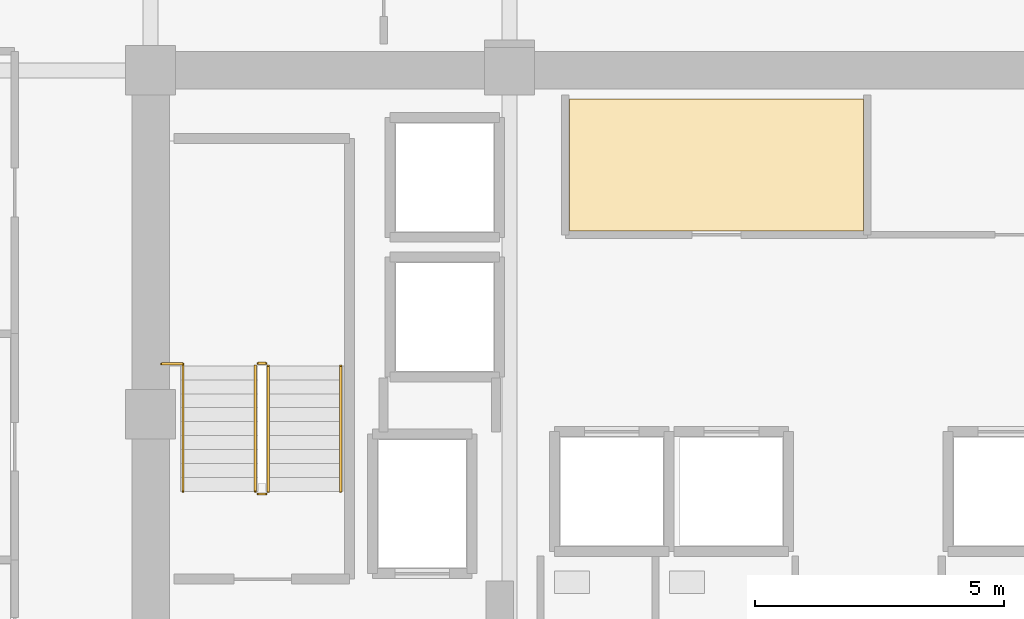
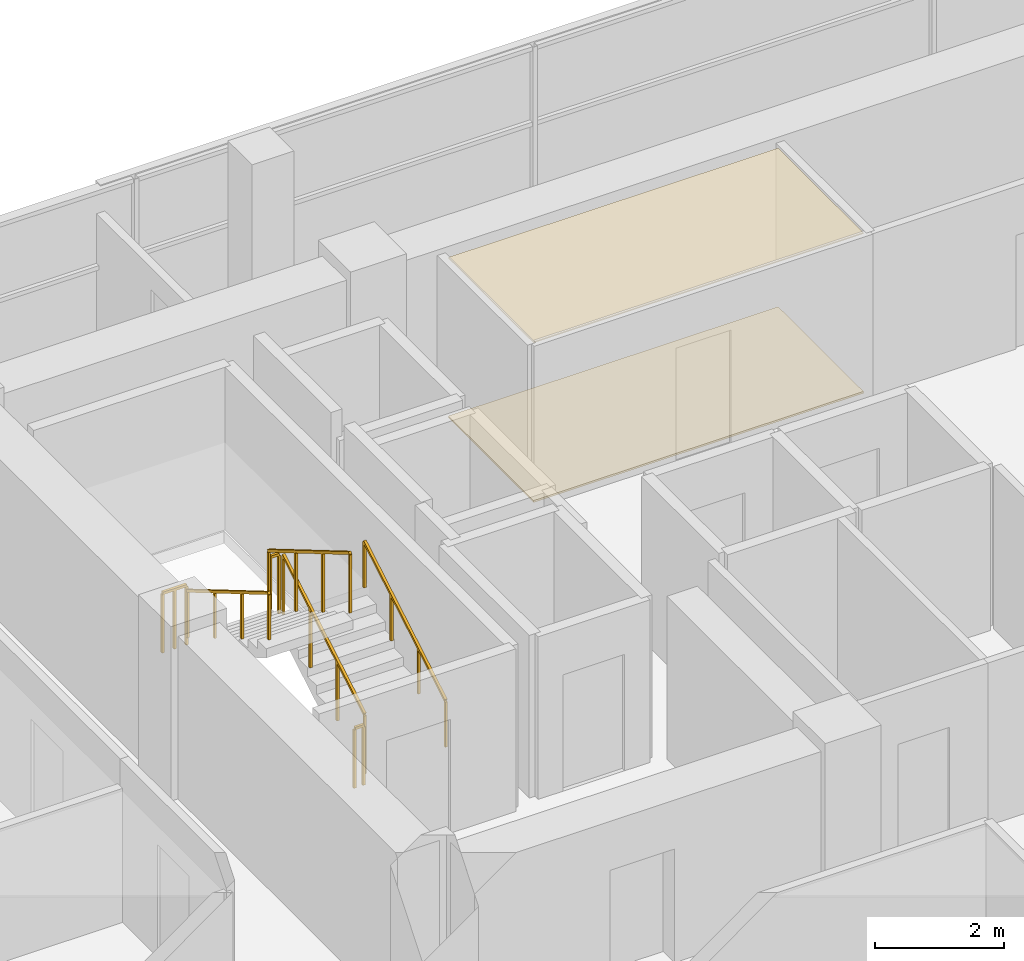
# One storey, part 23 of 25: 7 railings, 2 coverings.
"""IFC4 building model written with IfcOpenShell, lengths in metres."""

from ifc_helpers import new_model, si_unit, direction, frame, origin, origin_2d, place, context, subcontext, project, spatial, polyline, rectangle, outline, extrude, material, layer, layer_set, type_object, element, save


model = new_model("IFC4")

# Units and contexts
model_context = context("Model", 3, precision=1e-05, world=origin(), true_north=direction((0.0, 1.0)))
body_context = subcontext(model_context, "Body", "Model", "MODEL_VIEW")
ifc_project = project(units=[si_unit("LENGTHUNIT", "METRE"), si_unit("AREAUNIT", "SQUARE_METRE"), si_unit("VOLUMEUNIT", "CUBIC_METRE"), si_unit("PLANEANGLEUNIT", "RADIAN"), si_unit("MASSUNIT", "GRAM", prefix="KILO")], contexts=[model_context])

# Site, building, storey
site_placement = place(None, origin())
site = spatial("IfcSite", under=ifc_project, at=site_placement, CompositionType="ELEMENT")
building_placement = place(site_placement, origin())
building = spatial("IfcBuilding", under=site, at=building_placement, Name="Zarnakvel Exchange Tower", CompositionType="ELEMENT")
storey_placement = place(building_placement, frame((0.0, 0.0, 156.10009765625)))
storey = spatial("IfcBuildingStorey", under=building, at=storey_placement, Name="L43", CompositionType="ELEMENT", Elevation=156.10009765625)

# Coverings
ifc_material_1 = material(Name="Perforated Bronze Acoustic Metal Ceiling", Category="aluminium")
ifc_layer_1 = layer(ifc_material_1, 0.02001953125)
ifc_layer_set_1 = layer_set([ifc_layer_1], Name="Perforated Bronze Acoustic Metal Ceiling")
covering_type_1 = type_object("IfcCoveringType", Name="CLG-01", PredefinedType="CEILING", material=ifc_layer_set_1)
covering_1_placement = place(storey_placement, frame((0.0, 0.0, 3.014892578125)))
element("IfcCovering", 1, at=covering_1_placement, inside=storey, type_object=covering_type_1, Name="L43 Suspended Acoustic Ceiling (Settlement Records Suite)", PredefinedType="CEILING", context=body_context, shape_type="SweptSolid", body=[
    extrude(outline(polyline([(-6.0, 12.919921875), (-0.10009765625, 12.919921875), (-0.10009765625, 10.280029296875), (-6.0, 10.280029296875), (-6.0, 12.919921875)])), origin(), (0.0, 0.0, 1.0), 0.02001953125),
])
ifc_material_2 = material(Name="Heavy-Duty Raised Access Floor Panel", Category="steel")
ifc_layer_2 = layer(ifc_material_2, 0.034912109375)
ifc_layer_set_2 = layer_set([ifc_layer_2], Name="Heavy-Duty Raised Access Floor Panel")
covering_type_2 = type_object("IfcCoveringType", Name="FLR-02", PredefinedType="FLOORING", material=ifc_layer_set_2)
covering_2_placement = place(storey_placement, origin())
element("IfcCovering", 2, at=covering_2_placement, inside=storey, type_object=covering_type_2, Name="L43 Floor Finish (Settlement Records Suite)", PredefinedType="FLOORING", context=body_context, shape_type="SweptSolid", body=[
    extrude(outline(polyline([(-6.0, 12.919921875), (-0.10009765625, 12.919921875), (-0.10009765625, 10.280029296875), (-6.0, 10.280029296875), (-6.0, 12.919921875)])), origin(), (0.0, 0.0, 1.0), 0.034912109375),
])

# Railings
ifc_material_3 = material(Name="Brushed Stainless Steel", Category="steel")
railing_type_1 = type_object("IfcRailingType", Name="HR-01", PredefinedType="HANDRAIL", material=ifc_material_3)
railing_1_placement = place(storey_placement, frame((-10.590087890625, 5.050048828125, 0.164794921875)))
element("IfcRailing", 3, at=railing_1_placement, inside=storey, type_object=railing_type_1, Name="L43 ST-01 stair handrail 1", PredefinedType="HANDRAIL", context=body_context, shape_type="SweptSolid", body=[
    extrude(rectangle(XDim=0.048095703125, YDim=0.048095703125, at=origin_2d()), frame((0.0, 0.0, 0.8759765625), z_axis=(0.0, 0.86152411907, 0.507716645641), x_axis=(-1.0, 0.0, 0.0)), (0.0, 0.0, 1.0), 2.925048828125),
    extrude(rectangle(XDim=0.0419921875, YDim=0.0419921875, at=origin_2d()), origin(), (0.0, 0.0, 1.0), 0.851806640625),
    extrude(rectangle(XDim=0.0419921875, YDim=0.0419921875, at=origin_2d()), frame((0.0, 0.840087890625, 0.4951171875)), (0.0, 0.0, 1.0), 0.851806640625),
    extrude(rectangle(XDim=0.0419921875, YDim=0.0419921875, at=origin_2d()), frame((0.0, 1.679931640625, 0.989990234375)), (0.0, 0.0, 1.0), 0.851806640625),
    extrude(rectangle(XDim=0.0419921875, YDim=0.0419921875, at=origin_2d()), frame((0.0, 2.52001953125, 1.485107421875)), (0.0, 0.0, 1.0), 0.851806640625),
])
railing_2_placement = place(storey_placement, frame((-13.75, 7.570068359375, 1.81494140625)))
element("IfcRailing", 4, at=railing_2_placement, inside=storey, type_object=railing_type_1, Name="L43 ST-01 stair handrail 2", PredefinedType="HANDRAIL", context=body_context, shape_type="SweptSolid", body=[
    extrude(rectangle(XDim=0.048095703125, YDim=0.048095703125, at=origin_2d()), frame((0.0, 0.0, 0.8759765625), z_axis=(0.0, -0.861560626758, 0.507654692109), x_axis=(1.0, 0.0, 0.0)), (0.0, 0.0, 1.0), 2.925048828125),
    extrude(rectangle(XDim=0.0419921875, YDim=0.0419921875, at=origin_2d()), origin(), (0.0, 0.0, 1.0), 0.851806640625),
    extrude(rectangle(XDim=0.0419921875, YDim=0.0419921875, at=origin_2d()), frame((0.0, -0.840087890625, 0.494873046875)), (0.0, 0.0, 1.0), 0.851806640625),
    extrude(rectangle(XDim=0.0419921875, YDim=0.0419921875, at=origin_2d()), frame((0.0, -1.679931640625, 0.989990234375)), (0.0, 0.0, 1.0), 0.851806640625),
    extrude(rectangle(XDim=0.0419921875, YDim=0.0419921875, at=origin_2d()), frame((0.0, -2.52001953125, 1.48486328125)), (0.0, 0.0, 1.0), 0.851806640625),
])
ifc_material_4 = material(Name="Architectural Bronze Anodised Aluminium", Category="aluminium")
railing_type_2 = type_object("IfcRailingType", Name="SG-01", PredefinedType="GUARDRAIL", material=ifc_material_4)
railing_3_placement = place(storey_placement, frame((-12.0400390625, 5.050048828125, 0.164794921875)))
element("IfcRailing", 5, at=railing_3_placement, inside=storey, type_object=railing_type_2, Name="L43 ST-01 stair guard 1", PredefinedType="GUARDRAIL", context=body_context, shape_type="SweptSolid", body=[
    extrude(rectangle(XDim=0.048095703125, YDim=0.048095703125, at=origin_2d()), frame((0.0, 0.0, 1.1259765625), z_axis=(0.0, 0.86152411907, 0.507716645641), x_axis=(-1.0, 0.0, 0.0)), (0.0, 0.0, 1.0), 2.925048828125),
    extrude(rectangle(XDim=0.0419921875, YDim=0.0419921875, at=origin_2d()), origin(), (0.0, 0.0, 1.0), 1.101806640625),
    extrude(rectangle(XDim=0.0419921875, YDim=0.0419921875, at=origin_2d()), frame((0.0, 0.840087890625, 0.4951171875)), (0.0, 0.0, 1.0), 1.101806640625),
    extrude(rectangle(XDim=0.0419921875, YDim=0.0419921875, at=origin_2d()), frame((0.0, 1.679931640625, 0.989990234375)), (0.0, 0.0, 1.0), 1.101806640625),
    extrude(rectangle(XDim=0.0419921875, YDim=0.0419921875, at=origin_2d()), frame((0.0, 2.52001953125, 1.485107421875)), (0.0, 0.0, 1.0), 1.101806640625),
])
railing_4_placement = place(storey_placement, frame((-12.090087890625, 7.6201171875, 1.64990234375)))
element("IfcRailing", 6, at=railing_4_placement, inside=storey, type_object=railing_type_2, Name="L43 ST-01 stair guard 2", PredefinedType="GUARDRAIL", context=body_context, shape_type="SweptSolid", body=[
    extrude(rectangle(XDim=0.048095703125, YDim=0.048095703125, at=origin_2d()), frame((0.0, 0.0, 1.1259765625), z_axis=(-1.0, 0.0, 0.0), x_axis=(0.0, -1.0, 0.0)), (0.0, 0.0, 1.0), 0.159912109375),
    extrude(rectangle(XDim=0.0419921875, YDim=0.0419921875, at=origin_2d()), origin(), (0.0, 0.0, 1.0), 1.101806640625),
    extrude(rectangle(XDim=0.0419921875, YDim=0.0419921875, at=origin_2d()), frame((-0.159912109375, 0.0, 0.0)), (0.0, 0.0, 1.0), 1.101806640625),
])
railing_5_placement = place(storey_placement, frame((-12.300048828125, 7.570068359375, 1.81494140625)))
element("IfcRailing", 7, at=railing_5_placement, inside=storey, type_object=railing_type_2, Name="L43 ST-01 stair guard 3", PredefinedType="GUARDRAIL", context=body_context, shape_type="SweptSolid", body=[
    extrude(rectangle(XDim=0.048095703125, YDim=0.048095703125, at=origin_2d()), frame((0.0, 0.0, 1.1259765625), z_axis=(0.0, -0.861560626758, 0.507654692109), x_axis=(1.0, 0.0, 0.0)), (0.0, 0.0, 1.0), 2.925048828125),
    extrude(rectangle(XDim=0.0419921875, YDim=0.0419921875, at=origin_2d()), origin(), (0.0, 0.0, 1.0), 1.101806640625),
    extrude(rectangle(XDim=0.0419921875, YDim=0.0419921875, at=origin_2d()), frame((0.0, -0.840087890625, 0.494873046875)), (0.0, 0.0, 1.0), 1.101806640625),
    extrude(rectangle(XDim=0.0419921875, YDim=0.0419921875, at=origin_2d()), frame((0.0, -1.679931640625, 0.989990234375)), (0.0, 0.0, 1.0), 1.101806640625),
    extrude(rectangle(XDim=0.0419921875, YDim=0.0419921875, at=origin_2d()), frame((0.0, -2.52001953125, 1.48486328125)), (0.0, 0.0, 1.0), 1.101806640625),
])
railing_6_placement = place(storey_placement, frame((-12.090087890625, 5.0, 0.0)))
element("IfcRailing", 8, at=railing_6_placement, inside=storey, type_object=railing_type_2, Name="L43 ST-01 stair guard 4", PredefinedType="GUARDRAIL", context=body_context, shape_type="SweptSolid", body=[
    extrude(rectangle(XDim=0.048095703125, YDim=0.048095703125, at=origin_2d()), frame((0.0, 0.0, 1.1259765625), z_axis=(-1.0, 0.0, 0.0), x_axis=(0.0, -1.0, 0.0)), (0.0, 0.0, 1.0), 0.159912109375),
    extrude(rectangle(XDim=0.0419921875, YDim=0.0419921875, at=origin_2d()), origin(), (0.0, 0.0, 1.0), 1.101806640625),
    extrude(rectangle(XDim=0.0419921875, YDim=0.0419921875, at=origin_2d()), frame((-0.159912109375, 0.0, 0.0)), (0.0, 0.0, 1.0), 1.101806640625),
])
railing_7_placement = place(storey_placement, frame((-14.179931640625, 7.610107421875, 1.64990234375)))
element("IfcRailing", 9, at=railing_7_placement, inside=storey, type_object=railing_type_2, Name="L43 ST-01 Landing Slot Guardrail", PredefinedType="GUARDRAIL", context=body_context, shape_type="SweptSolid", body=[
    extrude(rectangle(XDim=0.048095703125, YDim=0.048095703125, at=origin_2d()), frame((0.0, 0.0, 1.1259765625), z_axis=(1.0, 0.0, 0.0), x_axis=(0.0, 1.0, 0.0)), (0.0, 0.0, 1.0), 0.429931640625),
    extrude(rectangle(XDim=0.0419921875, YDim=0.0419921875, at=origin_2d()), origin(), (0.0, 0.0, 1.0), 1.101806640625),
    extrude(rectangle(XDim=0.0419921875, YDim=0.0419921875, at=origin_2d()), frame((0.21484375, 0.0, 0.0)), (0.0, 0.0, 1.0), 1.101806640625),
    extrude(rectangle(XDim=0.0419921875, YDim=0.0419921875, at=origin_2d()), frame((0.429931640625, 0.0, 0.0)), (0.0, 0.0, 1.0), 1.101806640625),
])

save(model, "model.ifc")
